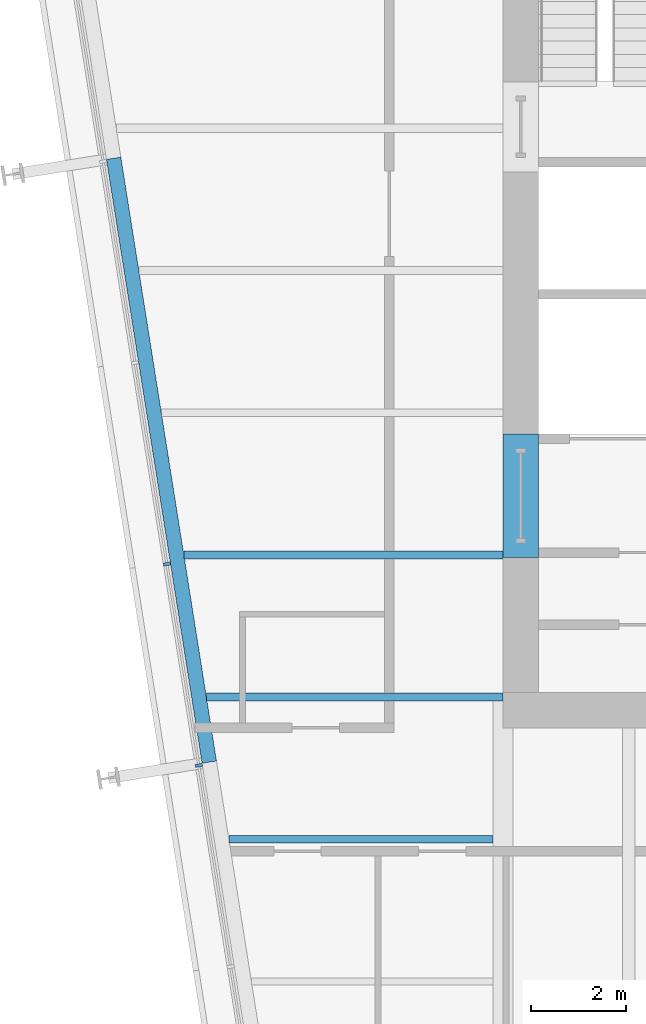
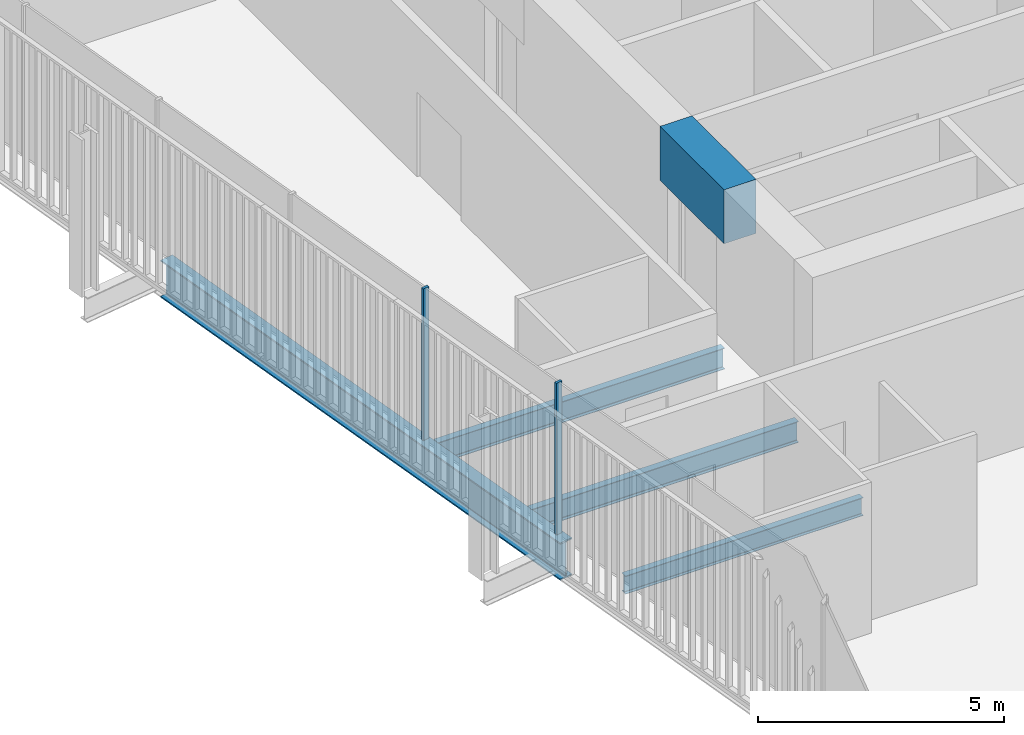
# One storey, part 4 of 21: 5 beams, 2 members, 1 element without a shape of its own.
"""IFC4 building model written with IfcOpenShell, lengths in metres."""

from ifc_helpers import new_model, si_unit, direction, frame, origin, origin_2d, place, context, subcontext, project, spatial, rectangle, i_section, extrude, material, layer, layer_set, material_profile, profile_set, type_object, element, aggregate, save


model = new_model("IFC4")

# Units and contexts
model_context = context("Model", 3, precision=1e-05, world=origin(), true_north=direction((0.0, 1.0)))
body_context = subcontext(model_context, "Body", "Model", "MODEL_VIEW")
ifc_project = project(units=[si_unit("LENGTHUNIT", "METRE"), si_unit("AREAUNIT", "SQUARE_METRE"), si_unit("VOLUMEUNIT", "CUBIC_METRE"), si_unit("PLANEANGLEUNIT", "RADIAN"), si_unit("MASSUNIT", "GRAM", prefix="KILO")], contexts=[model_context])

# Site, building, storey
site_placement = place(None, origin())
site = spatial("IfcSite", under=ifc_project, at=site_placement, CompositionType="ELEMENT")
building_placement = place(site_placement, origin())
building = spatial("IfcBuilding", under=site, at=building_placement, Name="Millrace Tower", CompositionType="ELEMENT")
storey_placement = place(building_placement, frame((0.0, 0.0, 156.800048828125)))
storey = spatial("IfcBuildingStorey", under=building, at=storey_placement, Name="L35", CompositionType="ELEMENT", Elevation=156.800048828125)

# Curtain wall, members
ifc_material_1 = material(Name="Aluminium and glass", Category="aluminium")
ifc_layer = layer(ifc_material_1, 0.14990234375)
ifc_layer_set = layer_set([ifc_layer], Name="Aluminium and glass")
curtain_wall_type = type_object("IfcCurtainWallType", Name="CW-1 office vision curtain wall", PredefinedType="NOTDEFINED", material=ifc_layer_set)
curtain_wall_placement = place(storey_placement, origin())
curtain_wall = element("IfcCurtainWall", 1, at=curtain_wall_placement, inside=storey, type_object=curtain_wall_type, Name="Curtain wall C-F08 L35", PredefinedType="NOTDEFINED")
ifc_material_2 = material(Name="Aluminium", Category="aluminium")
ifc_material_profile_1 = material_profile(ifc_material_2, rectangle(XDim=0.06494140625, YDim=0.14990234375, at=origin_2d()))
ifc_profile_set_1 = profile_set([ifc_material_profile_1], Name="Aluminium")
member_type = type_object("IfcMemberType", Name="CW-1 office vision curtain wall mullion", PredefinedType="MULLION", material=ifc_profile_set_1)
member_1_placement = place(storey_placement, frame((-21.743408203125, -6.193603515625, 0.139892578125), z_axis=(0.0, 0.0, 1.0), x_axis=(0.15643447328, -0.98768833929, 0.0)))
member_1 = element("IfcMember", 2, at=member_1_placement, type_object=member_type, Name="CW1 mullion C-F08.6", PredefinedType="MULLION", context=body_context, shape_type="SweptSolid", body=[
    extrude(rectangle(XDim=0.06494140625, YDim=0.14990234375, at=origin_2d()), origin(), (0.0, 0.0, 1.0), 3.760009765625),
])
member_2_placement = place(storey_placement, frame((-21.070556640625, -10.440673828125, 0.139892578125), z_axis=(0.0, 0.0, 1.0), x_axis=(0.15643447328, -0.98768833929, 0.0)))
member_2 = element("IfcMember", 3, at=member_2_placement, type_object=member_type, Name="CW1 mullion C-F08.7", PredefinedType="MULLION", context=body_context, shape_type="SweptSolid", body=[
    extrude(rectangle(XDim=0.06494140625, YDim=0.14990234375, at=origin_2d()), origin(), (0.0, 0.0, 1.0), 3.760009765625),
])
aggregate(curtain_wall, [member_1, member_2])

# Beams
ifc_material_3 = material(Name="Concrete C70", Category="concrete")
ifc_material_profile_2 = material_profile(ifc_material_3, rectangle(XDim=0.75, YDim=1.340087890625, at=origin_2d()))
ifc_profile_set_2 = profile_set([ifc_material_profile_2], Name="Concrete C70")
beam_type_1 = type_object("IfcBeamType", Name="Coupling beam 750 x 1340 Concrete C70, 2000 opening", PredefinedType="BEAM", material=ifc_profile_set_2)
beam_1_placement = place(storey_placement, frame((-14.27490234375, -6.050048828125, 3.070068359375), z_axis=(0.0, 1.0, 0.0), x_axis=(-1.0, 0.0, 0.0)))
element("IfcBeam", 4, at=beam_1_placement, inside=storey, type_object=beam_type_1, Name="Coupling beam W L35", PredefinedType="BEAM", context=body_context, shape_type="SweptSolid", body=[
    extrude(rectangle(XDim=0.75, YDim=1.340087890625, at=origin_2d()), origin(), (0.0, 0.0, 1.0), 2.60009765625),
])
ifc_material_4 = material(Name="Steel ASTM A992 Grade 50", Category="steel")
ifc_material_profile_3 = material_profile(ifc_material_4, i_section(OverallWidth=0.15234375, OverallDepth=0.449462890625, WebThickness=0.007568359375, FlangeThickness=0.0107421875, FilletRadius=0.01025390625, at=origin_2d()))
ifc_profile_set_3 = profile_set([ifc_material_profile_3], Name="Steel ASTM A992 Grade 50")
beam_type_2 = type_object("IfcBeamType", Name="Floor beam W18x35", PredefinedType="JOIST", material=ifc_profile_set_3)
beam_2_placement = place(storey_placement, frame((-20.4365234375, -12.0, -0.384765625), z_axis=(1.0, 0.0, 0.0), x_axis=(0.0, 1.0, 0.0)))
element("IfcBeam", 5, at=beam_2_placement, inside=storey, type_object=beam_type_2, Name="BM-C-L35-S1-S008", PredefinedType="JOIST", context=body_context, shape_type="SweptSolid", body=[
    extrude(i_section(OverallWidth=0.15234375, OverallDepth=0.449462890625, WebThickness=0.007568359375, FlangeThickness=0.0107421875, FilletRadius=0.01025390625, at=origin_2d()), origin(), (0.0, 0.0, 1.0), 5.576904296875),
])
ifc_material_5 = material(Name="Steel ASTM A992 Grade 50", Category="steel")
ifc_material_profile_4 = material_profile(ifc_material_5, i_section(OverallWidth=0.1650390625, OverallDepth=0.52587890625, WebThickness=0.0087890625, FlangeThickness=0.011474609375, FilletRadius=0.0126953125, at=origin_2d()))
ifc_profile_set_4 = profile_set([ifc_material_profile_4], Name="Steel ASTM A992 Grade 50")
beam_type_3 = type_object("IfcBeamType", Name="Floor beam W21x44", PredefinedType="JOIST", material=ifc_profile_set_4)
beam_3_placement = place(storey_placement, frame((-20.91162109375, -9.0, -0.4228515625), z_axis=(1.0, 0.0, 0.0), x_axis=(0.0, 1.0, 0.0)))
element("IfcBeam", 6, at=beam_3_placement, inside=storey, type_object=beam_type_3, Name="BM-C-L35-S1-S011", PredefinedType="JOIST", context=body_context, shape_type="SweptSolid", body=[
    extrude(i_section(OverallWidth=0.1650390625, OverallDepth=0.52587890625, WebThickness=0.0087890625, FlangeThickness=0.011474609375, FilletRadius=0.0126953125, at=origin_2d()), origin(), (0.0, 0.0, 1.0), 6.26171875),
])
beam_4_placement = place(storey_placement, frame((-21.386962890625, -6.0, -0.4228515625), z_axis=(1.0, 0.0, 0.0), x_axis=(0.0, 1.0, 0.0)))
element("IfcBeam", 7, at=beam_4_placement, inside=storey, type_object=beam_type_3, Name="BM-C-L35-S1-S014", PredefinedType="JOIST", context=body_context, shape_type="SweptSolid", body=[
    extrude(i_section(OverallWidth=0.1650390625, OverallDepth=0.52587890625, WebThickness=0.0087890625, FlangeThickness=0.011474609375, FilletRadius=0.0126953125, at=origin_2d()), origin(), (0.0, 0.0, 1.0), 6.737060546875),
])
ifc_material_6 = material(Name="Steel ASTM A992 Grade 50", Category="steel")
ifc_material_profile_5 = material_profile(ifc_material_6, i_section(OverallWidth=0.307373046875, OverallDepth=0.927001953125, WebThickness=0.01953125, FlangeThickness=0.031982421875, FilletRadius=0.01904296875, at=origin_2d()))
ifc_profile_set_5 = profile_set([ifc_material_profile_5], Name="Steel ASTM A992 Grade 50")
beam_type_4 = type_object("IfcBeamType", Name="Ring beam medium span W36x194", PredefinedType="SPANDREL", material=ifc_profile_set_5)
beam_5_placement = place(storey_placement, frame((-20.849853515625, -10.372802734375, -0.62353515625), z_axis=(-0.156438763615, 0.987687659758, 0.0), x_axis=(-0.987687659758, -0.156438763615, 0.0)))
element("IfcBeam", 8, at=beam_5_placement, inside=storey, type_object=beam_type_4, Name="RNG-C-L35-S1-02", PredefinedType="SPANDREL", context=body_context, shape_type="SweptSolid", body=[
    extrude(i_section(OverallWidth=0.307373046875, OverallDepth=0.927001953125, WebThickness=0.01953125, FlangeThickness=0.031982421875, FilletRadius=0.01904296875, at=origin_2d()), origin(), (0.0, 0.0, 1.0), 12.900146484375),
])

save(model, "model.ifc")
